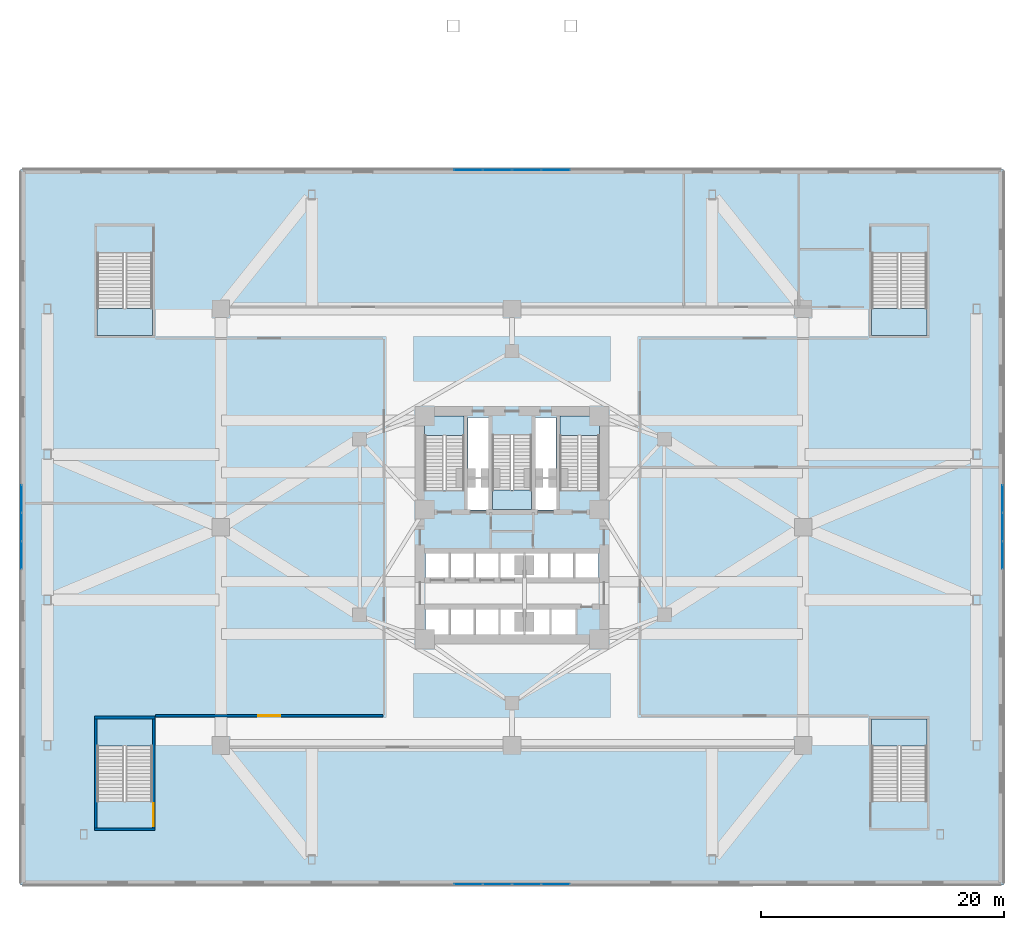
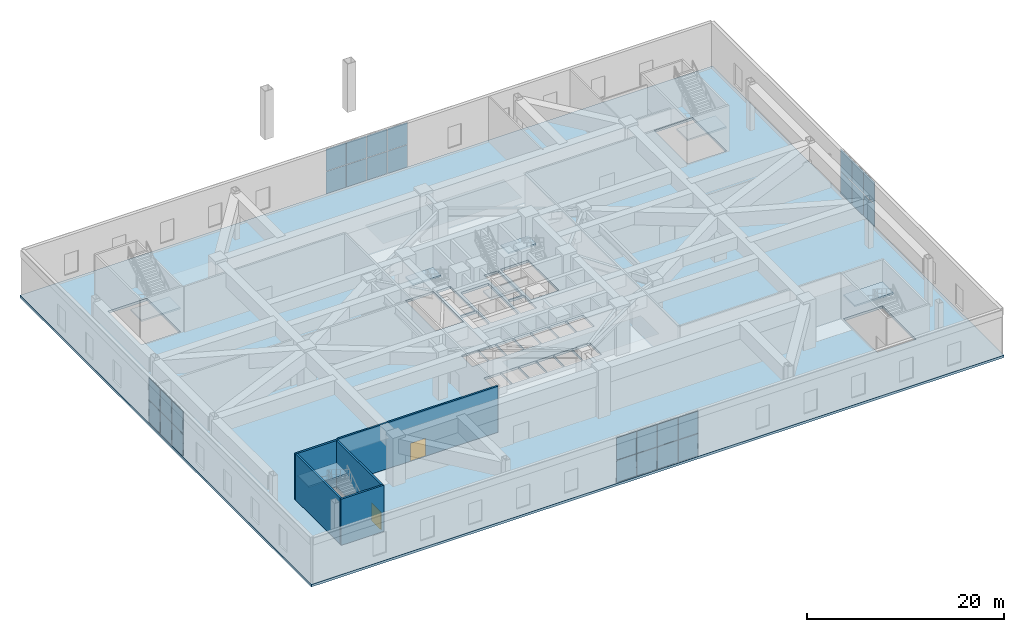
# One storey, part 10 of 24: 28 plates, 8 slabs, 5 walls, 2 doors, 2 openings, 11 elements without a shape of their own.
"""IFC4 building model written with IfcOpenShell, lengths in metres."""

from ifc_helpers import new_model, si_unit, direction, frame, frame_2d, origin, origin_2d, place, context, subcontext, project, spatial, polyline, rectangle, outline, extrude, material, layer, layer_set, type_object, element, fill, aggregate, save


model = new_model("IFC4")

# Units and contexts
model_context = context("Model", 3, precision=1e-05, world=origin(), true_north=direction((0.0, 1.0)))
body_context = subcontext(model_context, "Body", "Model", "MODEL_VIEW")
ifc_project = project(units=[si_unit("LENGTHUNIT", "METRE"), si_unit("AREAUNIT", "SQUARE_METRE"), si_unit("VOLUMEUNIT", "CUBIC_METRE"), si_unit("PLANEANGLEUNIT", "RADIAN"), si_unit("MASSUNIT", "GRAM", prefix="KILO")], contexts=[model_context])

# Site, building, storey
site_placement = place(None, origin())
site = spatial("IfcSite", under=ifc_project, at=site_placement, CompositionType="ELEMENT")
building_placement = place(site_placement, origin())
building = spatial("IfcBuilding", under=site, at=building_placement, Name="Apsidion Concourse Tower", CompositionType="ELEMENT")
storey_placement = place(building_placement, frame((0.0, 0.0, 17.5)))
storey = spatial("IfcBuildingStorey", under=building, at=storey_placement, Name="L03", CompositionType="ELEMENT", Elevation=17.5)

# Curtain wall, plates
ifc_material_1 = material(Name="Insulated laminated low-E glass", Category="glass")
ifc_layer_1 = layer(ifc_material_1, 0.199951171875)
ifc_layer_set_1 = layer_set([ifc_layer_1], Name="Insulated laminated low-E glass")
curtain_wall_type = type_object("IfcCurtainWallType", Name="CW-SYS-02", PredefinedType="NOTDEFINED", material=ifc_layer_set_1)
curtain_wall_1_placement = place(storey_placement, origin())
curtain_wall_1 = element("IfcCurtainWall", 1, at=curtain_wall_1_placement, inside=storey, type_object=curtain_wall_type, Name="L03 Podium Glazed Curtain Wall S", PredefinedType="NOTDEFINED")
ifc_layer_2 = layer(ifc_material_1, 0.031982421875)
ifc_layer_set_2 = layer_set([ifc_layer_2], Name="Insulated laminated low-E glass")
plate_type = type_object("IfcPlateType", Name="CWP-GLZ-32", PredefinedType="CURTAIN_PANEL", material=ifc_layer_set_2)
plate_1_placement = place(storey_placement, frame((3.61083984375, -29.43994140625, 0.06494140625), z_axis=(0.0, 0.0, 1.0), x_axis=(-1.0, 0.0, 0.0)))
plate_1 = element("IfcPlate", 2, at=plate_1_placement, type_object=plate_type, Name="CW-02 panel 1.1", PredefinedType="CURTAIN_PANEL", context=body_context, shape_type="SweptSolid", body=[
    extrude(rectangle(XDim=2.320556640625, YDim=0.031982421875, at=origin_2d()), origin(), (0.0, 0.0, 1.0), 2.7275390625),
])
plate_2_placement = place(storey_placement, frame((3.61083984375, -29.43994140625, 2.857421875), z_axis=(0.0, 0.0, 1.0), x_axis=(-1.0, 0.0, 0.0)))
plate_2 = element("IfcPlate", 3, at=plate_2_placement, type_object=plate_type, Name="CW-02 panel 1.2", PredefinedType="CURTAIN_PANEL", context=body_context, shape_type="SweptSolid", body=[
    extrude(rectangle(XDim=2.320556640625, YDim=0.031982421875, at=origin_2d()), origin(), (0.0, 0.0, 1.0), 2.7275390625),
])
plate_3_placement = place(storey_placement, frame((1.208984375, -29.43994140625, 0.06494140625), z_axis=(0.0, 0.0, 1.0), x_axis=(-1.0, 0.0, 0.0)))
plate_3 = element("IfcPlate", 4, at=plate_3_placement, type_object=plate_type, Name="CW-02 panel 2.1", PredefinedType="CURTAIN_PANEL", context=body_context, shape_type="SweptSolid", body=[
    extrude(rectangle(XDim=2.35302734375, YDim=0.031982421875, at=origin_2d()), origin(), (0.0, 0.0, 1.0), 2.7275390625),
])
plate_4_placement = place(storey_placement, frame((1.208984375, -29.43994140625, 2.857421875), z_axis=(0.0, 0.0, 1.0), x_axis=(-1.0, 0.0, 0.0)))
plate_4 = element("IfcPlate", 5, at=plate_4_placement, type_object=plate_type, Name="CW-02 panel 2.2", PredefinedType="CURTAIN_PANEL", context=body_context, shape_type="SweptSolid", body=[
    extrude(rectangle(XDim=2.35302734375, YDim=0.031982421875, at=origin_2d()), origin(), (0.0, 0.0, 1.0), 2.7275390625),
])
plate_5_placement = place(storey_placement, frame((-1.208984375, -29.43994140625, 0.06494140625), z_axis=(0.0, 0.0, 1.0), x_axis=(-1.0, 0.0, 0.0)))
plate_5 = element("IfcPlate", 6, at=plate_5_placement, type_object=plate_type, Name="CW-02 panel 3.1", PredefinedType="CURTAIN_PANEL", context=body_context, shape_type="SweptSolid", body=[
    extrude(rectangle(XDim=2.35302734375, YDim=0.031982421875, at=origin_2d()), origin(), (0.0, 0.0, 1.0), 2.7275390625),
])
plate_6_placement = place(storey_placement, frame((-1.208984375, -29.43994140625, 2.857421875), z_axis=(0.0, 0.0, 1.0), x_axis=(-1.0, 0.0, 0.0)))
plate_6 = element("IfcPlate", 7, at=plate_6_placement, type_object=plate_type, Name="CW-02 panel 3.2", PredefinedType="CURTAIN_PANEL", context=body_context, shape_type="SweptSolid", body=[
    extrude(rectangle(XDim=2.35302734375, YDim=0.031982421875, at=origin_2d()), origin(), (0.0, 0.0, 1.0), 2.7275390625),
])
plate_7_placement = place(storey_placement, frame((-3.61083984375, -29.43994140625, 0.06494140625), z_axis=(0.0, 0.0, 1.0), x_axis=(-1.0, 0.0, 0.0)))
plate_7 = element("IfcPlate", 8, at=plate_7_placement, type_object=plate_type, Name="CW-02 panel 4.1", PredefinedType="CURTAIN_PANEL", context=body_context, shape_type="SweptSolid", body=[
    extrude(rectangle(XDim=2.320556640625, YDim=0.031982421875, at=origin_2d()), origin(), (0.0, 0.0, 1.0), 2.7275390625),
])
plate_8_placement = place(storey_placement, frame((-3.61083984375, -29.43994140625, 2.857421875), z_axis=(0.0, 0.0, 1.0), x_axis=(-1.0, 0.0, 0.0)))
plate_8 = element("IfcPlate", 9, at=plate_8_placement, type_object=plate_type, Name="CW-02 panel 4.2", PredefinedType="CURTAIN_PANEL", context=body_context, shape_type="SweptSolid", body=[
    extrude(rectangle(XDim=2.320556640625, YDim=0.031982421875, at=origin_2d()), origin(), (0.0, 0.0, 1.0), 2.7275390625),
])
aggregate(curtain_wall_1, [plate_1, plate_2, plate_3, plate_4, plate_5, plate_6, plate_7, plate_8])

curtain_wall_2_placement = place(storey_placement, origin())
curtain_wall_2 = element("IfcCurtainWall", 10, at=curtain_wall_2_placement, inside=storey, type_object=curtain_wall_type, Name="L03 Podium Glazed Curtain Wall W", PredefinedType="NOTDEFINED")
plate_9_placement = place(storey_placement, frame((-40.43994140625, -2.32763671875, 0.06494140625), z_axis=(0.0, 0.0, 1.0), x_axis=(0.0, 1.0, 0.0)))
plate_9 = element("IfcPlate", 11, at=plate_9_placement, type_object=plate_type, Name="CW-02 panel 1.1", PredefinedType="CURTAIN_PANEL", context=body_context, shape_type="SweptSolid", body=[
    extrude(rectangle(XDim=2.24658203125, YDim=0.031982421875, at=origin_2d()), origin(), (0.0, 0.0, 1.0), 2.7275390625),
])
plate_10_placement = place(storey_placement, frame((-40.43994140625, -2.32763671875, 2.857421875), z_axis=(0.0, 0.0, 1.0), x_axis=(0.0, 1.0, 0.0)))
plate_10 = element("IfcPlate", 12, at=plate_10_placement, type_object=plate_type, Name="CW-02 panel 1.2", PredefinedType="CURTAIN_PANEL", context=body_context, shape_type="SweptSolid", body=[
    extrude(rectangle(XDim=2.24658203125, YDim=0.031982421875, at=origin_2d()), origin(), (0.0, 0.0, 1.0), 2.7275390625),
])
plate_11_placement = place(storey_placement, frame((-40.43994140625, 0.0, 0.06494140625), z_axis=(0.0, 0.0, 1.0), x_axis=(0.0, 1.0, 0.0)))
plate_11 = element("IfcPlate", 13, at=plate_11_placement, type_object=plate_type, Name="CW-02 panel 2.1", PredefinedType="CURTAIN_PANEL", context=body_context, shape_type="SweptSolid", body=[
    extrude(rectangle(XDim=2.279052734375, YDim=0.031982421875, at=origin_2d()), origin(), (0.0, 0.0, 1.0), 2.7275390625),
])
plate_12_placement = place(storey_placement, frame((-40.43994140625, 0.0, 2.857421875), z_axis=(0.0, 0.0, 1.0), x_axis=(0.0, 1.0, 0.0)))
plate_12 = element("IfcPlate", 14, at=plate_12_placement, type_object=plate_type, Name="CW-02 panel 2.2", PredefinedType="CURTAIN_PANEL", context=body_context, shape_type="SweptSolid", body=[
    extrude(rectangle(XDim=2.279052734375, YDim=0.031982421875, at=origin_2d()), origin(), (0.0, 0.0, 1.0), 2.7275390625),
])
plate_13_placement = place(storey_placement, frame((-40.43994140625, 2.32763671875, 0.06494140625), z_axis=(0.0, 0.0, 1.0), x_axis=(0.0, 1.0, 0.0)))
plate_13 = element("IfcPlate", 15, at=plate_13_placement, type_object=plate_type, Name="CW-02 panel 3.1", PredefinedType="CURTAIN_PANEL", context=body_context, shape_type="SweptSolid", body=[
    extrude(rectangle(XDim=2.24658203125, YDim=0.031982421875, at=origin_2d()), origin(), (0.0, 0.0, 1.0), 2.7275390625),
])
plate_14_placement = place(storey_placement, frame((-40.43994140625, 2.32763671875, 2.857421875), z_axis=(0.0, 0.0, 1.0), x_axis=(0.0, 1.0, 0.0)))
plate_14 = element("IfcPlate", 16, at=plate_14_placement, type_object=plate_type, Name="CW-02 panel 3.2", PredefinedType="CURTAIN_PANEL", context=body_context, shape_type="SweptSolid", body=[
    extrude(rectangle(XDim=2.24658203125, YDim=0.031982421875, at=origin_2d()), origin(), (0.0, 0.0, 1.0), 2.7275390625),
])
aggregate(curtain_wall_2, [plate_9, plate_10, plate_11, plate_12, plate_13, plate_14])

curtain_wall_3_placement = place(storey_placement, origin())
curtain_wall_3 = element("IfcCurtainWall", 17, at=curtain_wall_3_placement, inside=storey, type_object=curtain_wall_type, Name="L03 Podium Glazed Curtain Wall N", PredefinedType="NOTDEFINED")
plate_15_placement = place(storey_placement, frame((-3.61083984375, 29.43994140625, 0.06494140625), z_axis=(0.0, 0.0, 1.0), x_axis=(1.0, 0.0, 0.0)))
plate_15 = element("IfcPlate", 18, at=plate_15_placement, type_object=plate_type, Name="CW-02 panel 1.1", PredefinedType="CURTAIN_PANEL", context=body_context, shape_type="SweptSolid", body=[
    extrude(rectangle(XDim=2.320556640625, YDim=0.031982421875, at=origin_2d()), origin(), (0.0, 0.0, 1.0), 2.7275390625),
])
plate_16_placement = place(storey_placement, frame((-3.61083984375, 29.43994140625, 2.857421875), z_axis=(0.0, 0.0, 1.0), x_axis=(1.0, 0.0, 0.0)))
plate_16 = element("IfcPlate", 19, at=plate_16_placement, type_object=plate_type, Name="CW-02 panel 1.2", PredefinedType="CURTAIN_PANEL", context=body_context, shape_type="SweptSolid", body=[
    extrude(rectangle(XDim=2.320556640625, YDim=0.031982421875, at=origin_2d()), origin(), (0.0, 0.0, 1.0), 2.7275390625),
])
plate_17_placement = place(storey_placement, frame((-1.208984375, 29.43994140625, 0.06494140625), z_axis=(0.0, 0.0, 1.0), x_axis=(1.0, 0.0, 0.0)))
plate_17 = element("IfcPlate", 20, at=plate_17_placement, type_object=plate_type, Name="CW-02 panel 2.1", PredefinedType="CURTAIN_PANEL", context=body_context, shape_type="SweptSolid", body=[
    extrude(rectangle(XDim=2.35302734375, YDim=0.031982421875, at=origin_2d()), origin(), (0.0, 0.0, 1.0), 2.7275390625),
])
plate_18_placement = place(storey_placement, frame((-1.208984375, 29.43994140625, 2.857421875), z_axis=(0.0, 0.0, 1.0), x_axis=(1.0, 0.0, 0.0)))
plate_18 = element("IfcPlate", 21, at=plate_18_placement, type_object=plate_type, Name="CW-02 panel 2.2", PredefinedType="CURTAIN_PANEL", context=body_context, shape_type="SweptSolid", body=[
    extrude(rectangle(XDim=2.35302734375, YDim=0.031982421875, at=origin_2d()), origin(), (0.0, 0.0, 1.0), 2.7275390625),
])
plate_19_placement = place(storey_placement, frame((1.208984375, 29.43994140625, 0.06494140625), z_axis=(0.0, 0.0, 1.0), x_axis=(1.0, 0.0, 0.0)))
plate_19 = element("IfcPlate", 22, at=plate_19_placement, type_object=plate_type, Name="CW-02 panel 3.1", PredefinedType="CURTAIN_PANEL", context=body_context, shape_type="SweptSolid", body=[
    extrude(rectangle(XDim=2.35302734375, YDim=0.031982421875, at=origin_2d()), origin(), (0.0, 0.0, 1.0), 2.7275390625),
])
plate_20_placement = place(storey_placement, frame((1.208984375, 29.43994140625, 2.857421875), z_axis=(0.0, 0.0, 1.0), x_axis=(1.0, 0.0, 0.0)))
plate_20 = element("IfcPlate", 23, at=plate_20_placement, type_object=plate_type, Name="CW-02 panel 3.2", PredefinedType="CURTAIN_PANEL", context=body_context, shape_type="SweptSolid", body=[
    extrude(rectangle(XDim=2.35302734375, YDim=0.031982421875, at=origin_2d()), origin(), (0.0, 0.0, 1.0), 2.7275390625),
])
plate_21_placement = place(storey_placement, frame((3.61083984375, 29.43994140625, 0.06494140625), z_axis=(0.0, 0.0, 1.0), x_axis=(1.0, 0.0, 0.0)))
plate_21 = element("IfcPlate", 24, at=plate_21_placement, type_object=plate_type, Name="CW-02 panel 4.1", PredefinedType="CURTAIN_PANEL", context=body_context, shape_type="SweptSolid", body=[
    extrude(rectangle(XDim=2.320556640625, YDim=0.031982421875, at=origin_2d()), origin(), (0.0, 0.0, 1.0), 2.7275390625),
])
plate_22_placement = place(storey_placement, frame((3.61083984375, 29.43994140625, 2.857421875), z_axis=(0.0, 0.0, 1.0), x_axis=(1.0, 0.0, 0.0)))
plate_22 = element("IfcPlate", 25, at=plate_22_placement, type_object=plate_type, Name="CW-02 panel 4.2", PredefinedType="CURTAIN_PANEL", context=body_context, shape_type="SweptSolid", body=[
    extrude(rectangle(XDim=2.320556640625, YDim=0.031982421875, at=origin_2d()), origin(), (0.0, 0.0, 1.0), 2.7275390625),
])
aggregate(curtain_wall_3, [plate_15, plate_16, plate_17, plate_18, plate_19, plate_20, plate_21, plate_22])

curtain_wall_4_placement = place(storey_placement, origin())
curtain_wall_4 = element("IfcCurtainWall", 26, at=curtain_wall_4_placement, inside=storey, type_object=curtain_wall_type, Name="L03 Podium Glazed Curtain Wall E", PredefinedType="NOTDEFINED")
plate_23_placement = place(storey_placement, frame((40.43994140625, 2.32763671875, 0.06494140625), z_axis=(0.0, 0.0, 1.0), x_axis=(0.0, -1.0, 0.0)))
plate_23 = element("IfcPlate", 27, at=plate_23_placement, type_object=plate_type, Name="CW-02 panel 1.1", PredefinedType="CURTAIN_PANEL", context=body_context, shape_type="SweptSolid", body=[
    extrude(rectangle(XDim=2.24658203125, YDim=0.031982421875, at=origin_2d()), origin(), (0.0, 0.0, 1.0), 2.7275390625),
])
plate_24_placement = place(storey_placement, frame((40.43994140625, 2.32763671875, 2.857421875), z_axis=(0.0, 0.0, 1.0), x_axis=(0.0, -1.0, 0.0)))
plate_24 = element("IfcPlate", 28, at=plate_24_placement, type_object=plate_type, Name="CW-02 panel 1.2", PredefinedType="CURTAIN_PANEL", context=body_context, shape_type="SweptSolid", body=[
    extrude(rectangle(XDim=2.24658203125, YDim=0.031982421875, at=origin_2d()), origin(), (0.0, 0.0, 1.0), 2.7275390625),
])
plate_25_placement = place(storey_placement, frame((40.43994140625, 0.0, 0.06494140625), z_axis=(0.0, 0.0, 1.0), x_axis=(0.0, -1.0, 0.0)))
plate_25 = element("IfcPlate", 29, at=plate_25_placement, type_object=plate_type, Name="CW-02 panel 2.1", PredefinedType="CURTAIN_PANEL", context=body_context, shape_type="SweptSolid", body=[
    extrude(rectangle(XDim=2.279052734375, YDim=0.031982421875, at=origin_2d()), origin(), (0.0, 0.0, 1.0), 2.7275390625),
])
plate_26_placement = place(storey_placement, frame((40.43994140625, 0.0, 2.857421875), z_axis=(0.0, 0.0, 1.0), x_axis=(0.0, -1.0, 0.0)))
plate_26 = element("IfcPlate", 30, at=plate_26_placement, type_object=plate_type, Name="CW-02 panel 2.2", PredefinedType="CURTAIN_PANEL", context=body_context, shape_type="SweptSolid", body=[
    extrude(rectangle(XDim=2.279052734375, YDim=0.031982421875, at=origin_2d()), origin(), (0.0, 0.0, 1.0), 2.7275390625),
])
plate_27_placement = place(storey_placement, frame((40.43994140625, -2.32763671875, 0.06494140625), z_axis=(0.0, 0.0, 1.0), x_axis=(0.0, -1.0, 0.0)))
plate_27 = element("IfcPlate", 31, at=plate_27_placement, type_object=plate_type, Name="CW-02 panel 3.1", PredefinedType="CURTAIN_PANEL", context=body_context, shape_type="SweptSolid", body=[
    extrude(rectangle(XDim=2.24658203125, YDim=0.031982421875, at=origin_2d()), origin(), (0.0, 0.0, 1.0), 2.7275390625),
])
plate_28_placement = place(storey_placement, frame((40.43994140625, -2.32763671875, 2.857421875), z_axis=(0.0, 0.0, 1.0), x_axis=(0.0, -1.0, 0.0)))
plate_28 = element("IfcPlate", 32, at=plate_28_placement, type_object=plate_type, Name="CW-02 panel 3.2", PredefinedType="CURTAIN_PANEL", context=body_context, shape_type="SweptSolid", body=[
    extrude(rectangle(XDim=2.24658203125, YDim=0.031982421875, at=origin_2d()), origin(), (0.0, 0.0, 1.0), 2.7275390625),
])
aggregate(curtain_wall_4, [plate_23, plate_24, plate_25, plate_26, plate_27, plate_28])

# Slab
ifc_material_2 = material(Name="Concrete C50/60", Category="concrete")
ifc_layer_3 = layer(ifc_material_2, 0.300048828125)
ifc_layer_set_3 = layer_set([ifc_layer_3], Name="Concrete C50/60")
slab_type_1 = type_object("IfcSlabType", Name="SL-FLR-300", PredefinedType="FLOOR", material=ifc_layer_set_3)
slab_1_placement = place(storey_placement, frame((0.0, 0.0, -0.300048828125)))
element("IfcSlab", 33, at=slab_1_placement, inside=storey, type_object=slab_type_1, Name="L03 Structural Floor Slab", PredefinedType="FLOOR", context=body_context, shape_type="SweptSolid", body=[
    extrude(outline(polyline([(-40.5, -29.5), (40.5, -29.5), (40.5, 29.5), (-40.5, 29.5), (-40.5, -29.5)]), holes=[polyline([(-3.949951171875, 3.0), (-3.949951171875, 9.14990234375), (-7.199951171875, 9.14990234375), (-7.199951171875, 3.0), (-3.949951171875, 3.0)]), polyline([(7.199951171875, 3.0), (7.199951171875, 9.14990234375), (3.949951171875, 9.14990234375), (3.949951171875, 3.0), (7.199951171875, 3.0)]), polyline([(-1.625, 7.60009765625), (-1.625, 1.449951171875), (1.625, 1.449951171875), (1.625, 7.60009765625), (-1.625, 7.60009765625)]), polyline([(-29.64990234375, -22.60009765625), (-29.64990234375, -15.800048828125), (-34.199951171875, -15.800048828125), (-34.199951171875, -22.60009765625), (-29.64990234375, -22.60009765625)]), polyline([(34.199951171875, -22.60009765625), (34.199951171875, -15.800048828125), (29.64990234375, -15.800048828125), (29.64990234375, -22.60009765625), (34.199951171875, -22.60009765625)]), polyline([(-34.199951171875, 22.60009765625), (-34.199951171875, 15.800048828125), (-29.64990234375, 15.800048828125), (-29.64990234375, 22.60009765625), (-34.199951171875, 22.60009765625)]), polyline([(29.64990234375, 22.60009765625), (29.64990234375, 15.800048828125), (34.199951171875, 15.800048828125), (34.199951171875, 22.60009765625), (29.64990234375, 22.60009765625)]), polyline([(-7.14501953125, -4.300048828125), (-5.155029296875, -4.300048828125), (-5.155029296875, -2.050048828125), (-7.14501953125, -2.050048828125), (-7.14501953125, -4.300048828125)]), polyline([(-5.094970703125, -4.300048828125), (-3.10498046875, -4.300048828125), (-3.10498046875, -2.050048828125), (-5.094970703125, -2.050048828125), (-5.094970703125, -4.300048828125)]), polyline([(-3.044921875, -4.300048828125), (-1.054931640625, -4.300048828125), (-1.054931640625, -2.050048828125), (-3.044921875, -2.050048828125), (-3.044921875, -4.300048828125)]), polyline([(-0.9951171875, -4.300048828125), (0.9951171875, -4.300048828125), (0.9951171875, -2.050048828125), (-0.9951171875, -2.050048828125), (-0.9951171875, -4.300048828125)]), polyline([(1.054931640625, -4.300048828125), (3.044921875, -4.300048828125), (3.044921875, -2.050048828125), (1.054931640625, -2.050048828125), (1.054931640625, -4.300048828125)]), polyline([(3.10498046875, -4.300048828125), (5.094970703125, -4.300048828125), (5.094970703125, -2.050048828125), (3.10498046875, -2.050048828125), (3.10498046875, -4.300048828125)]), polyline([(5.155029296875, -4.300048828125), (7.14501953125, -4.300048828125), (7.14501953125, -2.050048828125), (5.155029296875, -2.050048828125), (5.155029296875, -4.300048828125)]), polyline([(-7.14501953125, -8.949951171875), (-5.155029296875, -8.949951171875), (-5.155029296875, -6.64990234375), (-7.14501953125, -6.64990234375), (-7.14501953125, -8.949951171875)]), polyline([(-5.094970703125, -8.949951171875), (-3.10498046875, -8.949951171875), (-3.10498046875, -6.64990234375), (-5.094970703125, -6.64990234375), (-5.094970703125, -8.949951171875)]), polyline([(-3.044921875, -8.949951171875), (-1.054931640625, -8.949951171875), (-1.054931640625, -6.64990234375), (-3.044921875, -6.64990234375), (-3.044921875, -8.949951171875)]), polyline([(-0.9951171875, -8.949951171875), (0.9951171875, -8.949951171875), (0.9951171875, -6.64990234375), (-0.9951171875, -6.64990234375), (-0.9951171875, -8.949951171875)]), polyline([(1.044921875, -9.0), (3.155029296875, -9.0), (3.155029296875, -6.64990234375), (1.044921875, -6.64990234375), (1.044921875, -9.0)]), polyline([(3.195068359375, -9.0), (5.304931640625, -9.0), (5.304931640625, -6.64990234375), (3.195068359375, -6.64990234375), (3.195068359375, -9.0)]), polyline([(-3.7099609375, 1.39990234375), (-1.85009765625, 1.39990234375), (-1.85009765625, 4.0), (-3.7099609375, 4.0), (-3.7099609375, 1.39990234375)]), polyline([(1.85009765625, 1.39990234375), (3.7099609375, 1.39990234375), (3.7099609375, 4.0), (1.85009765625, 4.0), (1.85009765625, 1.39990234375)]), polyline([(-3.6201171875, 4.14990234375), (-1.93994140625, 4.14990234375), (-1.93994140625, 9.050048828125), (-3.6201171875, 9.050048828125), (-3.6201171875, 4.14990234375)]), polyline([(1.93994140625, 4.14990234375), (3.6201171875, 4.14990234375), (3.6201171875, 9.050048828125), (1.93994140625, 9.050048828125), (1.93994140625, 4.14990234375)])]), origin(), (0.0, 0.0, 1.0), 0.300048828125),
])

# Stair, slab
ifc_material_3 = material(Name="Precast concrete C40/50", Category="concrete")
stair_type_1 = type_object("IfcStairType", Name="ST-DL-1550", PredefinedType="HALF_TURN_STAIR", material=ifc_material_3)
stair_1_placement = place(storey_placement, origin())
stair_1 = element("IfcStair", 34, at=stair_1_placement, inside=storey, type_object=stair_type_1, Name="L03 Protected Core Exit Stair ST1", PredefinedType="HALF_TURN_STAIR")
ifc_layer_4 = layer(ifc_material_2, 0.199951171875)
ifc_layer_set_4 = layer_set([ifc_layer_4], Name="Concrete C50/60")
slab_type_2 = type_object("IfcSlabType", Name="SL-ST-LAND-200", PredefinedType="LANDING", material=ifc_layer_set_4)
slab_2_placement = place(storey_placement, frame((0.0, 0.0, 2.800048828125)))
slab_2 = element("IfcSlab", 35, at=slab_2_placement, type_object=slab_type_2, Name="ST1 landing 1", PredefinedType="LANDING", context=body_context, shape_type="SweptSolid", body=[
    extrude(outline(polyline([(-3.949951171875, 7.56005859375), (-3.949951171875, 9.14990234375), (-7.199951171875, 9.14990234375), (-7.199951171875, 7.56005859375), (-3.949951171875, 7.56005859375)])), origin(), (0.0, 0.0, 1.0), 0.199951171875),
])
aggregate(stair_1, [slab_2])

stair_2_placement = place(storey_placement, origin())
stair_2 = element("IfcStair", 36, at=stair_2_placement, inside=storey, type_object=stair_type_1, Name="L03 Protected Core Exit Stair ST2", PredefinedType="HALF_TURN_STAIR")
slab_3_placement = place(storey_placement, frame((0.0, 0.0, 2.800048828125)))
slab_3 = element("IfcSlab", 37, at=slab_3_placement, type_object=slab_type_2, Name="ST2 landing 1", PredefinedType="LANDING", context=body_context, shape_type="SweptSolid", body=[
    extrude(outline(polyline([(7.199951171875, 7.56005859375), (7.199951171875, 9.14990234375), (3.949951171875, 9.14990234375), (3.949951171875, 7.56005859375), (7.199951171875, 7.56005859375)])), origin(), (0.0, 0.0, 1.0), 0.199951171875),
])
aggregate(stair_2, [slab_3])

stair_3_placement = place(storey_placement, origin())
stair_3 = element("IfcStair", 38, at=stair_3_placement, inside=storey, type_object=stair_type_1, Name="L03 Protected Core Exit Stair ST3", PredefinedType="HALF_TURN_STAIR")
slab_4_placement = place(storey_placement, frame((0.0, 0.0, 2.800048828125)))
slab_4 = element("IfcSlab", 39, at=slab_4_placement, type_object=slab_type_2, Name="ST3 landing 1", PredefinedType="LANDING", context=body_context, shape_type="SweptSolid", body=[
    extrude(outline(polyline([(-1.625, 3.0400390625), (-1.625, 1.449951171875), (1.625, 1.449951171875), (1.625, 3.0400390625), (-1.625, 3.0400390625)])), origin(), (0.0, 0.0, 1.0), 0.199951171875),
])
aggregate(stair_3, [slab_4])

stair_type_2 = type_object("IfcStairType", Name="ST-DL-2200", PredefinedType="HALF_TURN_STAIR", material=ifc_material_3)
stair_4_placement = place(storey_placement, origin())
stair_4 = element("IfcStair", 40, at=stair_4_placement, inside=storey, type_object=stair_type_2, Name="L03 Podium Convention Exit Stair ST-P1", PredefinedType="HALF_TURN_STAIR")
slab_5_placement = place(storey_placement, frame((0.0, 0.0, 2.800048828125)))
slab_5 = element("IfcSlab", 41, at=slab_5_placement, type_object=slab_type_2, Name="ST-P1 landing 1", PredefinedType="LANDING", context=body_context, shape_type="SweptSolid", body=[
    extrude(outline(polyline([(-29.64990234375, -18.0400390625), (-29.64990234375, -15.800048828125), (-34.199951171875, -15.800048828125), (-34.199951171875, -18.0400390625), (-29.64990234375, -18.0400390625)])), origin(), (0.0, 0.0, 1.0), 0.199951171875),
])
aggregate(stair_4, [slab_5])

stair_5_placement = place(storey_placement, origin())
stair_5 = element("IfcStair", 42, at=stair_5_placement, inside=storey, type_object=stair_type_2, Name="L03 Podium Convention Exit Stair ST-P2", PredefinedType="HALF_TURN_STAIR")
slab_6_placement = place(storey_placement, frame((0.0, 0.0, 2.800048828125)))
slab_6 = element("IfcSlab", 43, at=slab_6_placement, type_object=slab_type_2, Name="ST-P2 landing 1", PredefinedType="LANDING", context=body_context, shape_type="SweptSolid", body=[
    extrude(outline(polyline([(34.199951171875, -18.0400390625), (34.199951171875, -15.800048828125), (29.64990234375, -15.800048828125), (29.64990234375, -18.0400390625), (34.199951171875, -18.0400390625)])), origin(), (0.0, 0.0, 1.0), 0.199951171875),
])
aggregate(stair_5, [slab_6])

stair_6_placement = place(storey_placement, origin())
stair_6 = element("IfcStair", 44, at=stair_6_placement, inside=storey, type_object=stair_type_2, Name="L03 Podium Convention Exit Stair ST-P3", PredefinedType="HALF_TURN_STAIR")
slab_7_placement = place(storey_placement, frame((0.0, 0.0, 2.800048828125)))
slab_7 = element("IfcSlab", 45, at=slab_7_placement, type_object=slab_type_2, Name="ST-P3 landing 1", PredefinedType="LANDING", context=body_context, shape_type="SweptSolid", body=[
    extrude(outline(polyline([(-34.199951171875, 18.0400390625), (-34.199951171875, 15.800048828125), (-29.64990234375, 15.800048828125), (-29.64990234375, 18.0400390625), (-34.199951171875, 18.0400390625)])), origin(), (0.0, 0.0, 1.0), 0.199951171875),
])
aggregate(stair_6, [slab_7])

stair_7_placement = place(storey_placement, origin())
stair_7 = element("IfcStair", 46, at=stair_7_placement, inside=storey, type_object=stair_type_2, Name="L03 Podium Convention Exit Stair ST-P4", PredefinedType="HALF_TURN_STAIR")
slab_8_placement = place(storey_placement, frame((0.0, 0.0, 2.800048828125)))
slab_8 = element("IfcSlab", 47, at=slab_8_placement, type_object=slab_type_2, Name="ST-P4 landing 1", PredefinedType="LANDING", context=body_context, shape_type="SweptSolid", body=[
    extrude(outline(polyline([(29.64990234375, 18.0400390625), (29.64990234375, 15.800048828125), (34.199951171875, 15.800048828125), (34.199951171875, 18.0400390625), (29.64990234375, 18.0400390625)])), origin(), (0.0, 0.0, 1.0), 0.199951171875),
])
aggregate(stair_7, [slab_8])

# Wall, opening, door
ifc_material_4 = material(Name="Gypsum plasterboard partition")
ifc_layer_5 = layer(ifc_material_4, 0.199951171875)
ifc_layer_set_5 = layer_set([ifc_layer_5], Name="Gypsum plasterboard partition")
wall_type_1 = type_object("IfcWallType", Name="WL-INT-PAR-200", PredefinedType="PARTITIONING", material=ifc_layer_set_5)
wall_1_placement = place(storey_placement, frame((-29.39990234375, -15.550048828125, 0.0), z_axis=(0.0, 0.0, 1.0), x_axis=(1.0, 0.0, 0.0)))
wall_1 = element("IfcWall", 48, at=wall_1_placement, inside=storey, type_object=wall_type_1, Name="L03 Interior Partition WL-L03-S1", PredefinedType="PARTITIONING", context=body_context, shape_type="SweptSolid", body=[
    extrude(rectangle(XDim=18.75, YDim=0.199951171875, at=frame_2d((9.375, 0.0))), origin(), (0.0, 0.0, 1.0), 5.699951171875),
])
opening_1_placement = place(wall_1_placement, frame((8.47509765625, 0.0, 0.0)))
opening_1 = element("IfcOpeningElement", 49, at=opening_1_placement, cuts=wall_1, Name="Opening D-06D", PredefinedType="OPENING", context=body_context, shape_type="SweptSolid", body=[
    extrude(rectangle(XDim=1.800048828125, YDim=2.199951171875, at=frame_2d((0.89990234375, 1.10009765625))), frame((0.0, 0.10986328125, 0.0), z_axis=(0.0, -1.0, 0.0), x_axis=(1.0, 0.0, 0.0)), (0.0, 0.0, 1.0), 0.219970703125),
])
ifc_material_5 = material(Name="Brushed stainless steel 316", Category="steel")
door_type_1 = type_object("IfcDoorType", Name="DR-INT-D06D", OperationType="DOUBLE_DOOR_SINGLE_SWING", PredefinedType="DOOR", material=ifc_material_5)
door_1_placement = place(opening_1_placement, origin())
door_1 = element("IfcDoor", 50, at=door_1_placement, inside=storey, type_object=door_type_1, Name="L03 Convention Door WL-L03-S1", OperationType="DOUBLE_DOOR_SINGLE_SWING", OverallHeight=2.199951171875, OverallWidth=1.800048828125, PredefinedType="DOOR", context=body_context, shape_type="SweptSolid", body=[
    extrude(rectangle(XDim=1.800048828125, YDim=2.199951171875, at=frame_2d((0.89990234375, 1.10009765625))), frame((0.0, 0.02490234375, 0.0), z_axis=(0.0, -1.0, 0.0), x_axis=(1.0, 0.0, 0.0)), (0.0, 0.0, 1.0), 0.050048828125),
])
fill(opening_1, door_1)

# Walls
ifc_layer_6 = layer(ifc_material_2, 0.219970703125)
ifc_layer_set_6 = layer_set([ifc_layer_6], Name="Concrete C50/60")
wall_type_2 = type_object("IfcWallType", Name="WL-SH-220", PredefinedType="SHEAR", material=ifc_layer_set_6)
for number, where, z_axis, x_axis, name in (
    (51, (-34.419921875, -24.909912109375, 0.0), (0.0, 0.0, 1.0), (1.0, 0.0, 0.0), "L03 Podium Stair ST-P1 Core Shear Wall S"),
    (52, (-34.419921875, -15.68994140625, 0.0), (0.0, 0.0, 1.0), (1.0, 0.0, 0.0), "L03 Podium Stair ST-P1 Core Shear Wall N"),
):
    element("IfcWall", number, at=place(storey_placement, frame(where, z_axis=z_axis, x_axis=x_axis)), inside=storey, type_object=wall_type_2, Name=name, PredefinedType="SHEAR", context=body_context, shape_type="SweptSolid", body=[
        extrude(rectangle(XDim=4.989990234375, YDim=0.219970703125, at=frame_2d((2.4951171875, 0.0))), origin(), (0.0, 0.0, 1.0), 5.699951171875),
    ])
wall_2_placement = place(storey_placement, frame((-34.31005859375, -24.800048828125, 0.0), z_axis=(0.0, 0.0, 1.0), x_axis=(0.0, 1.0, 0.0)))
element("IfcWall", 53, at=wall_2_placement, inside=storey, type_object=wall_type_2, Name="L03 Podium Stair ST-P1 Core Shear Wall W", PredefinedType="SHEAR", context=body_context, shape_type="SweptSolid", body=[
    extrude(rectangle(XDim=9.0, YDim=0.219970703125, at=frame_2d((4.5, 0.0))), origin(), (0.0, 0.0, 1.0), 5.699951171875),
])

# Wall, opening, door
wall_3_placement = place(storey_placement, frame((-29.5400390625, -24.800048828125, 0.0), z_axis=(0.0, 0.0, 1.0), x_axis=(0.0, 1.0, 0.0)))
wall_3 = element("IfcWall", 54, at=wall_3_placement, inside=storey, type_object=wall_type_2, Name="L03 Podium Stair ST-P1 Core Shear Wall E", PredefinedType="SHEAR", context=body_context, shape_type="SweptSolid", body=[
    extrude(rectangle(XDim=9.0, YDim=0.219970703125, at=frame_2d((4.5, 0.0))), origin(), (0.0, 0.0, 1.0), 5.699951171875),
])
opening_2_placement = place(wall_3_placement, frame((0.139892578125, 0.0, 0.0)))
opening_2 = element("IfcOpeningElement", 55, at=opening_2_placement, cuts=wall_3, Name="Opening D-07D", PredefinedType="OPENING", context=body_context, shape_type="SweptSolid", body=[
    extrude(rectangle(XDim=1.89990234375, YDim=2.199951171875, at=frame_2d((0.949951171875, 1.10009765625))), frame((0.0, 0.1201171875, 0.0), z_axis=(0.0, -1.0, 0.0), x_axis=(1.0, 0.0, 0.0)), (0.0, 0.0, 1.0), 0.239990234375),
])
door_type_2 = type_object("IfcDoorType", Name="DR-INT-D07D", OperationType="DOUBLE_DOOR_SINGLE_SWING", PredefinedType="DOOR", material=ifc_material_5)
door_2_placement = place(opening_2_placement, origin())
door_2 = element("IfcDoor", 56, at=door_2_placement, inside=storey, type_object=door_type_2, Name="L03 Podium Exit Stair ST-P1 Entry Door", OperationType="DOUBLE_DOOR_SINGLE_SWING", OverallHeight=2.199951171875, OverallWidth=1.89990234375, PredefinedType="DOOR", context=body_context, shape_type="SweptSolid", body=[
    extrude(rectangle(XDim=1.89990234375, YDim=2.199951171875, at=frame_2d((0.949951171875, 1.10009765625))), frame((0.0, 0.02490234375, 0.0), z_axis=(0.0, -1.0, 0.0), x_axis=(1.0, 0.0, 0.0)), (0.0, 0.0, 1.0), 0.050048828125),
])
fill(opening_2, door_2)

save(model, "model.ifc")
